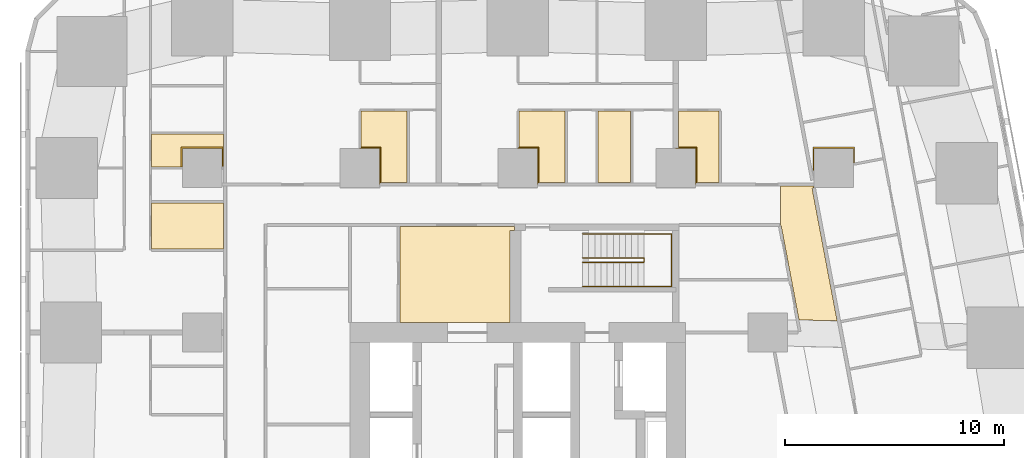
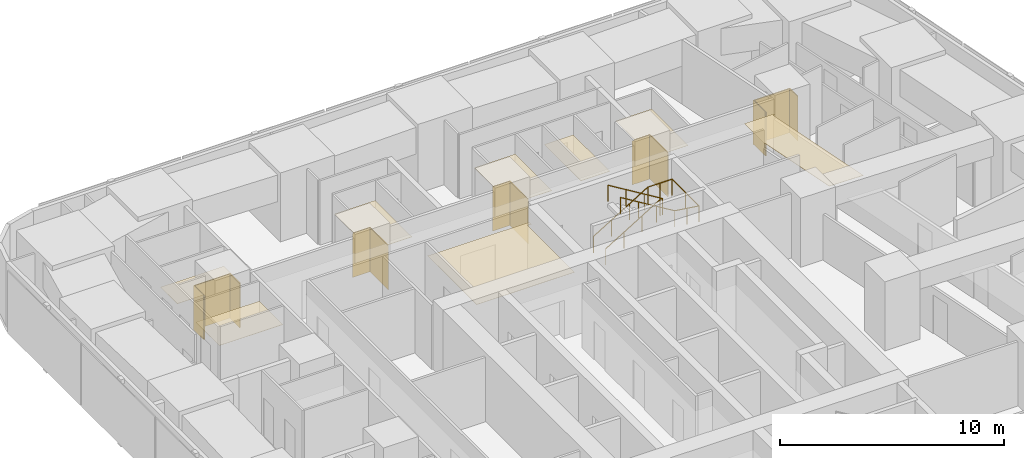
# One storey, part 16 of 16: 13 coverings, 2 railings.
"""IFC4 building model written with IfcOpenShell, lengths in metres."""

from ifc_helpers import new_model, si_unit, direction, frame, origin, origin_2d, place, context, subcontext, project, spatial, polyline, circle, outline, extrude, material, layer, layer_set, type_object, element, save


model = new_model("IFC4")

# Units and contexts
model_context = context("Model", 3, precision=1e-05, world=origin(), true_north=direction((0.0, 1.0)))
body_context = subcontext(model_context, "Body", "Model", "MODEL_VIEW")
ifc_project = project(units=[si_unit("LENGTHUNIT", "METRE"), si_unit("AREAUNIT", "SQUARE_METRE"), si_unit("VOLUMEUNIT", "CUBIC_METRE"), si_unit("PLANEANGLEUNIT", "RADIAN"), si_unit("MASSUNIT", "GRAM", prefix="KILO")], contexts=[model_context])

# Site, building, storey
site_placement = place(None, origin())
site = spatial("IfcSite", under=ifc_project, at=site_placement, CompositionType="ELEMENT")
building_placement = place(site_placement, origin())
building = spatial("IfcBuilding", under=site, at=building_placement, Name="Sheger Commons Tower", CompositionType="ELEMENT")
storey_placement = place(building_placement, frame((0.0, 0.0, 61.25)))
storey = spatial("IfcBuildingStorey", under=building, at=storey_placement, Name="L15", CompositionType="ELEMENT", Elevation=61.25)

# Railings
ifc_material_1 = material(Name="Steel handrail, black powder-coated", Category="steel")
railing_type = type_object("IfcRailingType", Name="HANDRAIL 900", PredefinedType="HANDRAIL", material=ifc_material_1)
railing_1_placement = place(storey_placement, frame((24.550048828125, 33.39990234375, 0.17041015625)))
element("IfcRailing", 1, at=railing_1_placement, inside=storey, type_object=railing_type, Name="Stair S2 handrail L15", PredefinedType="HANDRAIL", context=body_context, shape_type="SweptSolid", body=[
    extrude(circle(Radius=0.02392578125, at=origin_2d()), frame((0.0, 0.0, 0.8759765625), z_axis=(0.854169791009, 0.0, 0.51999420009), x_axis=(0.0, 1.0, 0.0)), (0.0, 0.0, 1.0), 3.278076171875),
    extrude(circle(Radius=0.02392578125, at=origin_2d()), frame((2.800048828125, 0.0, 2.58056640625), z_axis=(0.0, -0.761090297175, 0.648645943136), x_axis=(1.0, 0.0, 0.0)), (0.0, 0.0, 1.0), 0.2626953125),
    extrude(circle(Radius=0.02392578125, at=origin_2d()), frame((2.800048828125, -0.199951171875, 2.7509765625), z_axis=(-0.854169791009, 0.0, 0.51999420009), x_axis=(0.0, -1.0, 0.0)), (0.0, 0.0, 1.0), 3.278076171875),
    extrude(circle(Radius=0.02099609375, at=origin_2d()), origin(), (0.0, 0.0, 1.0), 0.851806640625),
    extrude(circle(Radius=0.02099609375, at=origin_2d()), frame((0.933349609375, 0.0, 0.568115234375)), (0.0, 0.0, 1.0), 0.851806640625),
    extrude(circle(Radius=0.02099609375, at=origin_2d()), frame((1.86669921875, 0.0, 1.136474609375)), (0.0, 0.0, 1.0), 0.851806640625),
    extrude(circle(Radius=0.02099609375, at=origin_2d()), frame((2.800048828125, 0.0, 1.70458984375)), (0.0, 0.0, 1.0), 0.851806640625),
    extrude(circle(Radius=0.02099609375, at=origin_2d()), frame((2.800048828125, -0.199951171875, 1.875)), (0.0, 0.0, 1.0), 0.851806640625),
    extrude(circle(Radius=0.02099609375, at=origin_2d()), frame((1.86669921875, -0.199951171875, 2.443115234375)), (0.0, 0.0, 1.0), 0.851806640625),
    extrude(circle(Radius=0.02099609375, at=origin_2d()), frame((0.933349609375, -0.199951171875, 3.011474609375)), (0.0, 0.0, 1.0), 0.851806640625),
    extrude(circle(Radius=0.02099609375, at=origin_2d()), frame((0.0, -0.199951171875, 3.57958984375)), (0.0, 0.0, 1.0), 0.851806640625),
])
railing_2_placement = place(storey_placement, frame((24.550048828125, 34.5, 0.17041015625)))
element("IfcRailing", 2, at=railing_2_placement, inside=storey, type_object=railing_type, Name="Stair S2 handrail L15", PredefinedType="HANDRAIL", context=body_context, shape_type="SweptSolid", body=[
    extrude(circle(Radius=0.02392578125, at=origin_2d()), frame((0.0, 0.0, 0.8759765625), z_axis=(0.854169791009, 0.0, 0.51999420009), x_axis=(0.0, 1.0, 0.0)), (0.0, 0.0, 1.0), 3.278076171875),
    extrude(circle(Radius=0.02392578125, at=origin_2d()), frame((2.800048828125, 0.0, 2.58056640625), z_axis=(1.0, 0.0, 0.0), x_axis=(0.0, 1.0, 0.0)), (0.0, 0.0, 1.0), 1.25),
    extrude(circle(Radius=0.02392578125, at=origin_2d()), frame((4.050048828125, 0.0, 2.58056640625), z_axis=(0.0, -1.0, 0.0), x_axis=(1.0, 0.0, 0.0)), (0.0, 0.0, 1.0), 2.39990234375),
    extrude(circle(Radius=0.02392578125, at=origin_2d()), frame((4.050048828125, -2.39990234375, 2.58056640625), z_axis=(-0.990834877927, 0.0, 0.135078661092), x_axis=(0.0, -1.0, 0.0)), (0.0, 0.0, 1.0), 1.261474609375),
    extrude(circle(Radius=0.02392578125, at=origin_2d()), frame((2.800048828125, -2.39990234375, 2.7509765625), z_axis=(-0.854169791009, 0.0, 0.51999420009), x_axis=(0.0, -1.0, 0.0)), (0.0, 0.0, 1.0), 3.278076171875),
    extrude(circle(Radius=0.02099609375, at=origin_2d()), origin(), (0.0, 0.0, 1.0), 0.851806640625),
    extrude(circle(Radius=0.02099609375, at=origin_2d()), frame((0.933349609375, 0.0, 0.568115234375)), (0.0, 0.0, 1.0), 0.851806640625),
    extrude(circle(Radius=0.02099609375, at=origin_2d()), frame((1.86669921875, 0.0, 1.136474609375)), (0.0, 0.0, 1.0), 0.851806640625),
    extrude(circle(Radius=0.02099609375, at=origin_2d()), frame((2.800048828125, 0.0, 1.70458984375)), (0.0, 0.0, 1.0), 0.851806640625),
    extrude(circle(Radius=0.02099609375, at=origin_2d()), frame((3.425048828125, 0.0, 1.70458984375)), (0.0, 0.0, 1.0), 0.851806640625),
    extrude(circle(Radius=0.02099609375, at=origin_2d()), frame((4.050048828125, 0.0, 1.70458984375)), (0.0, 0.0, 1.0), 0.851806640625),
    extrude(circle(Radius=0.02099609375, at=origin_2d()), frame((4.050048828125, -1.199951171875, 1.70458984375)), (0.0, 0.0, 1.0), 0.851806640625),
    extrude(circle(Radius=0.02099609375, at=origin_2d()), frame((4.050048828125, -2.39990234375, 1.70458984375)), (0.0, 0.0, 1.0), 0.851806640625),
    extrude(circle(Radius=0.02099609375, at=origin_2d()), frame((3.425048828125, -2.39990234375, 1.789794921875)), (0.0, 0.0, 1.0), 0.851806640625),
    extrude(circle(Radius=0.02099609375, at=origin_2d()), frame((2.800048828125, -2.39990234375, 1.875)), (0.0, 0.0, 1.0), 0.851806640625),
    extrude(circle(Radius=0.02099609375, at=origin_2d()), frame((1.86669921875, -2.39990234375, 2.443115234375)), (0.0, 0.0, 1.0), 0.851806640625),
    extrude(circle(Radius=0.02099609375, at=origin_2d()), frame((0.933349609375, -2.39990234375, 3.011474609375)), (0.0, 0.0, 1.0), 0.851806640625),
    extrude(circle(Radius=0.02099609375, at=origin_2d()), frame((0.0, -2.39990234375, 3.57958984375)), (0.0, 0.0, 1.0), 0.851806640625),
])

# Coverings
ifc_material_2 = material(Name="Moisture-resistant gypsum plasterboard 15 mm on a suspended galvanised steel grid", Category="steel")
ifc_layer_1 = layer(ifc_material_2, 0.014892578125)
ifc_layer_set_1 = layer_set([ifc_layer_1], Name="MOISTURE-RESISTANT CEILING 15")
covering_type_1 = type_object("IfcCoveringType", Name="MOISTURE-RESISTANT CEILING 15", PredefinedType="CEILING", material=ifc_layer_set_1)
covering_1_placement = place(storey_placement, frame((0.0, 0.0, 2.39990234375)))
element("IfcCovering", 3, at=covering_1_placement, inside=storey, type_object=covering_type_1, Name="L15-04.B1 ceiling", PredefinedType="CEILING", context=body_context, shape_type="SweptSolid", body=[
    extrude(outline(polyline([(4.905029296875, 33.804931640625), (8.169921875, 33.804931640625), (8.169921875, 35.905029296875), (4.905029296875, 35.905029296875), (4.905029296875, 33.804931640625)])), origin(), (0.0, 0.0, 1.0), 0.01513671875),
])
covering_2_placement = place(storey_placement, frame((0.0, 0.0, 2.39990234375)))
element("IfcCovering", 4, at=covering_2_placement, inside=storey, type_object=covering_type_1, Name="L15-04.B2 ceiling", PredefinedType="CEILING", context=body_context, shape_type="SweptSolid", body=[
    extrude(outline(polyline([(4.905029296875, 37.554931640625), (6.294921875, 37.554931640625), (6.294921875, 38.405029296875), (8.10498046875, 38.405029296875), (8.10498046875, 37.554931640625), (8.169921875, 37.554931640625), (8.169921875, 39.044921875), (4.905029296875, 39.044921875), (4.905029296875, 37.554931640625)])), origin(), (0.0, 0.0, 1.0), 0.01513671875),
])
covering_3_placement = place(storey_placement, frame((0.0, 0.0, 2.39990234375)))
element("IfcCovering", 5, at=covering_3_placement, inside=storey, type_object=covering_type_1, Name="L15-12.B1 ceiling", PredefinedType="CEILING", context=body_context, shape_type="SweptSolid", body=[
    extrude(outline(polyline([(15.304931640625, 36.830078125), (16.554931640625, 36.830078125), (16.554931640625, 40.094970703125), (14.455078125, 40.094970703125), (14.455078125, 38.405029296875), (15.304931640625, 38.405029296875), (15.304931640625, 36.830078125)])), origin(), (0.0, 0.0, 1.0), 0.01513671875),
])
covering_4_placement = place(storey_placement, frame((0.0, 0.0, 2.39990234375)))
element("IfcCovering", 6, at=covering_4_placement, inside=storey, type_object=covering_type_1, Name="L15-13.B1 ceiling", PredefinedType="CEILING", context=body_context, shape_type="SweptSolid", body=[
    extrude(outline(polyline([(22.5048828125, 36.830078125), (23.7548828125, 36.830078125), (23.7548828125, 40.094970703125), (21.655029296875, 40.094970703125), (21.655029296875, 38.405029296875), (22.5048828125, 38.405029296875), (22.5048828125, 36.830078125)])), origin(), (0.0, 0.0, 1.0), 0.01513671875),
])
covering_5_placement = place(storey_placement, frame((0.0, 0.0, 2.39990234375)))
element("IfcCovering", 7, at=covering_5_placement, inside=storey, type_object=covering_type_1, Name="L15-13.B2 ceiling", PredefinedType="CEILING", context=body_context, shape_type="SweptSolid", body=[
    extrude(outline(polyline([(25.2548828125, 36.830078125), (26.7451171875, 36.830078125), (26.7451171875, 40.094970703125), (25.2548828125, 40.094970703125), (25.2548828125, 36.830078125)])), origin(), (0.0, 0.0, 1.0), 0.01513671875),
])
covering_6_placement = place(storey_placement, frame((0.0, 0.0, 2.39990234375)))
element("IfcCovering", 8, at=covering_6_placement, inside=storey, type_object=covering_type_1, Name="L15-14.B1 ceiling", PredefinedType="CEILING", context=body_context, shape_type="SweptSolid", body=[
    extrude(outline(polyline([(29.705078125, 36.830078125), (30.77392578125, 36.830078125), (30.77392578125, 40.094970703125), (28.929931640625, 40.094970703125), (28.929931640625, 38.405029296875), (29.705078125, 38.405029296875), (29.705078125, 36.830078125)])), origin(), (0.0, 0.0, 1.0), 0.01513671875),
])
ifc_material_3 = material(Name="Gypsum plasterboard 15 mm on a suspended steel grid", Category="steel")
ifc_layer_2 = layer(ifc_material_3, 0.014892578125)
ifc_layer_set_2 = layer_set([ifc_layer_2], Name="SUSPENDED CEILING 15")
covering_type_2 = type_object("IfcCoveringType", Name="SUSPENDED CEILING 15", PredefinedType="CEILING", material=ifc_layer_set_2)
covering_7_placement = place(storey_placement, frame((0.0, 0.0, 2.699951171875)))
element("IfcCovering", 9, at=covering_7_placement, inside=storey, type_object=covering_type_2, Name="L15-CO ceiling", PredefinedType="CEILING", context=body_context, shape_type="SweptSolid", body=[
    extrude(outline(polyline([(36.155029296875, 30.533935546875), (35.013916015625, 36.574951171875), (35.092041015625, 36.590087890625), (35.076904296875, 36.669921875), (33.572998046875, 36.669921875), (33.572998046875, 34.947998046875), (33.571044921875, 34.947998046875), (33.589111328125, 34.85205078125), (33.60595703125, 34.85498046875), (34.416015625, 30.572998046875), (36.155029296875, 30.533935546875)])), origin(), (0.0, 0.0, 1.0), 0.01513671875),
])
covering_8_placement = place(storey_placement, frame((0.0, 0.0, 2.699951171875)))
element("IfcCovering", 10, at=covering_8_placement, inside=storey, type_object=covering_type_2, Name="L15-SVN1 ceiling", PredefinedType="CEILING", context=body_context, shape_type="SweptSolid", body=[
    extrude(outline(polyline([(16.217041015625, 30.455078125), (21.2451171875, 30.455078125), (21.2451171875, 34.655029296875), (21.445068359375, 34.655029296875), (21.445068359375, 34.83203125), (16.217041015625, 34.83203125), (16.217041015625, 30.455078125)])), origin(), (0.0, 0.0, 1.0), 0.01513671875),
])
ifc_material_4 = material(Name="Moisture-resistant gypsum board 12.5 mm on 25 mm treated timber battens, tanked and tiled", Category="wood")
ifc_layer_3 = layer(ifc_material_4, 0.050048828125)
ifc_layer_set_3 = layer_set([ifc_layer_3], Name="WET-ROOM COLUMN LINING")
covering_type_3 = type_object("IfcCoveringType", Name="WET-ROOM COLUMN LINING", PredefinedType="CLADDING", material=ifc_layer_set_3)
covering_9_placement = place(storey_placement, origin())
element("IfcCovering", 11, at=covering_9_placement, inside=storey, type_object=covering_type_3, Name="Shower room column lining C8 L15", PredefinedType="CLADDING", context=body_context, shape_type="SweptSolid", body=[
    extrude(outline(polyline([(8.14990234375, 38.449951171875), (8.14990234375, 37.550048828125), (8.10107421875, 37.550048828125), (8.10107421875, 37.5), (8.10009765625, 37.5), (8.10009765625, 38.39990234375), (6.300048828125, 38.39990234375), (6.300048828125, 37.5), (6.299072265625, 37.5), (6.299072265625, 37.550048828125), (6.25, 37.550048828125), (6.25, 38.449951171875), (8.14990234375, 38.449951171875)])), origin(), (0.0, 0.0, 1.0), 2.39990234375),
])
covering_10_placement = place(storey_placement, origin())
element("IfcCovering", 12, at=covering_10_placement, inside=storey, type_object=covering_type_3, Name="Bathroom column lining C8 L15", PredefinedType="CLADDING", context=body_context, shape_type="SweptSolid", body=[
    extrude(outline(polyline([(15.35009765625, 36.824951171875), (15.301025390625, 36.824951171875), (15.301025390625, 36.75), (15.300048828125, 36.75), (15.300048828125, 38.39990234375), (14.39990234375, 38.39990234375), (14.39990234375, 38.40087890625), (14.449951171875, 38.40087890625), (14.449951171875, 38.449951171875), (15.35009765625, 38.449951171875), (15.35009765625, 36.824951171875)])), origin(), (0.0, 0.0, 1.0), 2.39990234375),
])
covering_11_placement = place(storey_placement, origin())
element("IfcCovering", 13, at=covering_11_placement, inside=storey, type_object=covering_type_3, Name="Bathroom column lining C8 L15", PredefinedType="CLADDING", context=body_context, shape_type="SweptSolid", body=[
    extrude(outline(polyline([(22.550048828125, 36.824951171875), (22.5009765625, 36.824951171875), (22.5009765625, 36.75), (22.5, 36.75), (22.5, 38.39990234375), (21.60009765625, 38.39990234375), (21.60009765625, 38.40087890625), (21.64990234375, 38.40087890625), (21.64990234375, 38.449951171875), (22.550048828125, 38.449951171875), (22.550048828125, 36.824951171875)])), origin(), (0.0, 0.0, 1.0), 2.39990234375),
])
covering_12_placement = place(storey_placement, origin())
element("IfcCovering", 14, at=covering_12_placement, inside=storey, type_object=covering_type_3, Name="Shower room column lining C8 L15", PredefinedType="CLADDING", context=body_context, shape_type="SweptSolid", body=[
    extrude(outline(polyline([(29.75, 36.824951171875), (29.700927734375, 36.824951171875), (29.700927734375, 36.75), (29.699951171875, 36.75), (29.699951171875, 38.39990234375), (28.800048828125, 38.39990234375), (28.800048828125, 38.40087890625), (28.925048828125, 38.40087890625), (28.925048828125, 38.449951171875), (29.75, 38.449951171875), (29.75, 36.824951171875)])), origin(), (0.0, 0.0, 1.0), 2.39990234375),
])
covering_13_placement = place(storey_placement, origin())
element("IfcCovering", 15, at=covering_13_placement, inside=storey, type_object=covering_type_3, Name="Laundry room column lining C8 L15", PredefinedType="CLADDING", context=body_context, shape_type="SweptSolid", body=[
    extrude(outline(polyline([(36.949951171875, 38.449951171875), (36.949951171875, 37.72998046875), (36.90087890625, 37.720947265625), (36.909912109375, 37.672119140625), (36.89990234375, 37.669921875), (36.89990234375, 38.39990234375), (35.10009765625, 38.39990234375), (35.10009765625, 37.330078125), (35.090087890625, 37.327880859375), (35.0810546875, 37.376953125), (35.050048828125, 37.37109375), (35.050048828125, 38.449951171875), (36.949951171875, 38.449951171875)])), origin(), (0.0, 0.0, 1.0), 2.39990234375),
])

save(model, "model.ifc")
